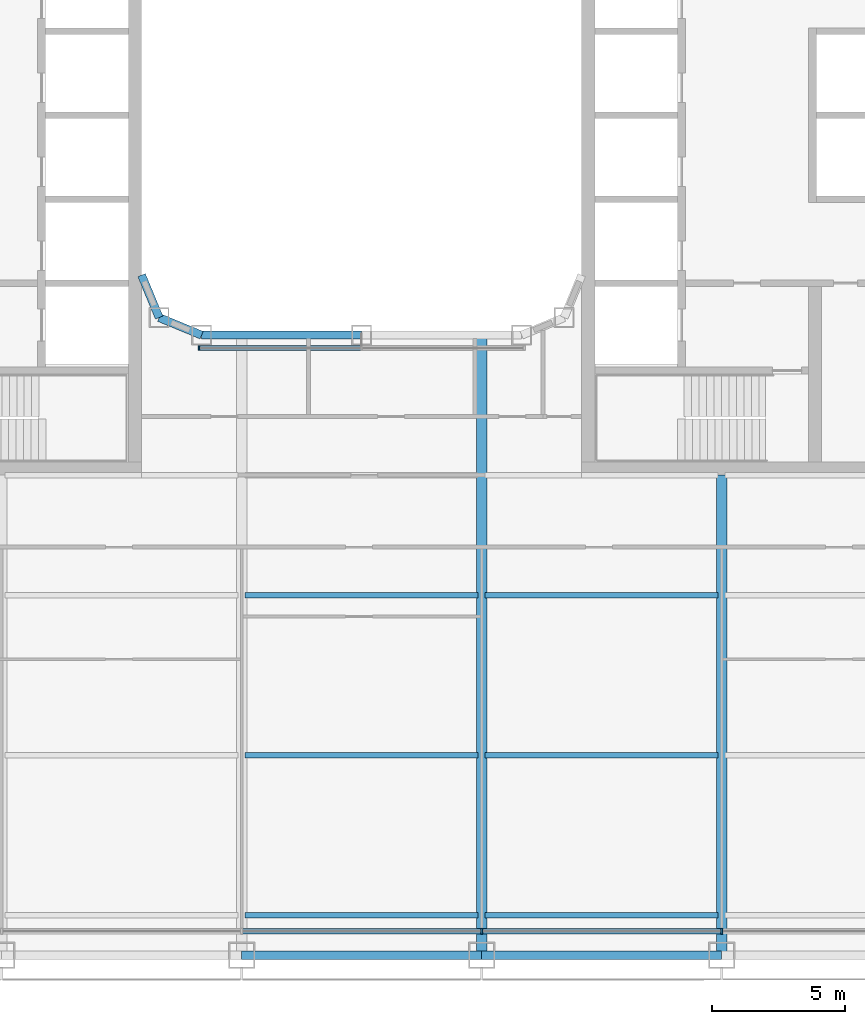
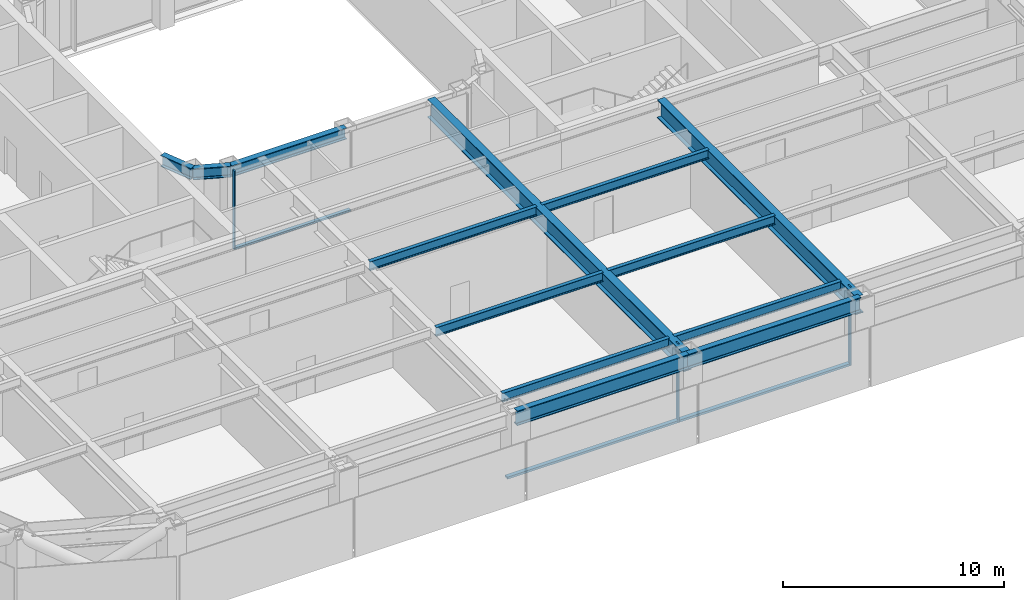
# One storey, part 3 of 24: 13 beams, 6 members, 2 elements without a shape of their own.
"""IFC4 building model written with IfcOpenShell, lengths in metres."""

from ifc_helpers import new_model, si_unit, direction, frame, origin, origin_2d, place, context, subcontext, project, spatial, rectangle, i_section, extrude, material, layer, layer_set, material_profile, profile_set, type_object, element, aggregate, save


model = new_model("IFC4")

# Units and contexts
model_context = context("Model", 3, precision=1e-05, world=origin(), true_north=direction((0.0, 1.0)))
body_context = subcontext(model_context, "Body", "Model", "MODEL_VIEW")
ifc_project = project(units=[si_unit("LENGTHUNIT", "METRE"), si_unit("AREAUNIT", "SQUARE_METRE"), si_unit("VOLUMEUNIT", "CUBIC_METRE"), si_unit("PLANEANGLEUNIT", "RADIAN"), si_unit("MASSUNIT", "GRAM", prefix="KILO")], contexts=[model_context])

# Site, building, storey
site_placement = place(None, origin())
site = spatial("IfcSite", under=ifc_project, at=site_placement, CompositionType="ELEMENT")
building_placement = place(site_placement, origin())
building = spatial("IfcBuilding", under=site, at=building_placement, Name="Siwar Civic Tower", CompositionType="ELEMENT")
storey_placement = place(building_placement, frame((0.0, 0.0, 76.199951171875)))
storey = spatial("IfcBuildingStorey", under=building, at=storey_placement, Name="L16", CompositionType="ELEMENT", Elevation=76.199951171875)

# Curtain wall, members
ifc_material_1 = material(Name="Aluminium and glass", Category="aluminium")
ifc_layer_1 = layer(ifc_material_1, 0.219970703125)
ifc_layer_set_1 = layer_set([ifc_layer_1], Name="Aluminium and glass")
curtain_wall_type_1 = type_object("IfcCurtainWallType", Name="ENV-CW-A", PredefinedType="NOTDEFINED", material=ifc_layer_set_1)
curtain_wall_1_placement = place(storey_placement, origin())
curtain_wall_1 = element("IfcCurtainWall", 1, at=curtain_wall_1_placement, inside=storey, type_object=curtain_wall_type_1, Name="Curtain wall A S", PredefinedType="NOTDEFINED")
ifc_material_2 = material(Name="Aluminium 6063-T6", Category="aluminium")
ifc_material_profile_1 = material_profile(ifc_material_2, rectangle(XDim=0.219970703125, YDim=0.070068359375, at=origin_2d()), Name="AL 220x70")
ifc_profile_set_1 = profile_set([ifc_material_profile_1], Name="Aluminium 6063-T6")
member_type_1 = type_object("IfcMemberType", Name="ENV-MULLION-A", PredefinedType="MULLION", material=ifc_profile_set_1)
member_1_placement = place(storey_placement, frame((4.5, -30.60009765625, 0.0), z_axis=(0.0, 0.0, 1.0), x_axis=(0.0, 1.0, 0.0)))
member_1 = element("IfcMember", 2, at=member_1_placement, type_object=member_type_1, Name="Mullion A S 4", PredefinedType="MULLION", context=body_context, shape_type="SweptSolid", body=[
    extrude(rectangle(XDim=0.219970703125, YDim=0.070068359375, at=origin_2d()), origin(), (0.0, 0.0, 1.0), 4.35009765625),
])
member_2_placement = place(storey_placement, frame((13.5, -30.60009765625, 0.0), z_axis=(0.0, 0.0, 1.0), x_axis=(0.0, 1.0, 0.0)))
member_2 = element("IfcMember", 3, at=member_2_placement, type_object=member_type_1, Name="Mullion A S 5", PredefinedType="MULLION", context=body_context, shape_type="SweptSolid", body=[
    extrude(rectangle(XDim=0.219970703125, YDim=0.070068359375, at=origin_2d()), origin(), (0.0, 0.0, 1.0), 4.35009765625),
])

# Curtain wall, member
ifc_material_3 = material(Name="Aluminium and glass", Category="aluminium")
ifc_layer_2 = layer(ifc_material_3, 0.179931640625)
ifc_layer_set_2 = layer_set([ifc_layer_2], Name="Aluminium and glass")
curtain_wall_type_2 = type_object("IfcCurtainWallType", Name="ENV-CW-W", PredefinedType="NOTDEFINED", material=ifc_layer_set_2)
curtain_wall_2_placement = place(storey_placement, origin())
curtain_wall_2 = element("IfcCurtainWall", 4, at=curtain_wall_2_placement, inside=storey, type_object=curtain_wall_type_2, Name="Curtain wall W WS", PredefinedType="NOTDEFINED")
ifc_material_4 = material(Name="Aluminium 6063-T6", Category="aluminium")
ifc_material_profile_2 = material_profile(ifc_material_4, rectangle(XDim=0.179931640625, YDim=0.06005859375, at=origin_2d()), Name="AL 180x60")
ifc_profile_set_2 = profile_set([ifc_material_profile_2], Name="Aluminium 6063-T6")
member_type_2 = type_object("IfcMemberType", Name="ENV-MULLION-W", PredefinedType="MULLION", material=ifc_profile_set_2)
member_3_placement = place(storey_placement, frame((-6.096435546875, -8.735107421875, 0.0), z_axis=(0.0, 0.0, 1.0), x_axis=(0.0, 1.0, 0.0)))
member_3 = element("IfcMember", 5, at=member_3_placement, type_object=member_type_2, Name="Mullion W WS 1", PredefinedType="MULLION", context=body_context, shape_type="SweptSolid", body=[
    extrude(rectangle(XDim=0.179931640625, YDim=0.06005859375, at=origin_2d()), origin(), (0.0, 0.0, 1.0), 4.35009765625),
])

# Member
ifc_material_5 = material(Name="Aluminium 6063-T6", Category="aluminium")
ifc_material_profile_3 = material_profile(ifc_material_5, rectangle(XDim=0.219970703125, YDim=0.1201171875, at=origin_2d()), Name="AL 220x120")
ifc_profile_set_3 = profile_set([ifc_material_profile_3], Name="Aluminium 6063-T6")
member_type_3 = type_object("IfcMemberType", Name="ENV-TRANSOM-A", PredefinedType="USERDEFINED", material=ifc_profile_set_3)
member_4_placement = place(storey_placement, frame((-4.465087890625, -30.60009765625, 0.06005859375), z_axis=(1.0, 0.0, 0.0), x_axis=(0.0, 1.0, 0.0)))
member_4 = element("IfcMember", 6, at=member_4_placement, type_object=member_type_3, Name="Transom A S 3", ObjectType="TRANSOM", PredefinedType="USERDEFINED", context=body_context, shape_type="SweptSolid", body=[
    extrude(rectangle(XDim=0.219970703125, YDim=0.1201171875, at=origin_2d()), origin(), (0.0, 0.0, 1.0), 8.93017578125),
])

member_5_placement = place(storey_placement, frame((4.534912109375, -30.60009765625, 0.06005859375), z_axis=(1.0, 0.0, 0.0), x_axis=(0.0, 1.0, 0.0)))
member_5 = element("IfcMember", 7, at=member_5_placement, type_object=member_type_3, Name="Transom A S 4", ObjectType="TRANSOM", PredefinedType="USERDEFINED", context=body_context, shape_type="SweptSolid", body=[
    extrude(rectangle(XDim=0.219970703125, YDim=0.1201171875, at=origin_2d()), origin(), (0.0, 0.0, 1.0), 8.93017578125),
])

aggregate(curtain_wall_1, [member_1, member_2, member_4, member_5])

ifc_material_6 = material(Name="Aluminium 6063-T6", Category="aluminium")
ifc_material_profile_4 = material_profile(ifc_material_6, rectangle(XDim=0.179931640625, YDim=0.10009765625, at=origin_2d()), Name="AL 180x100")
ifc_profile_set_4 = profile_set([ifc_material_profile_4], Name="Aluminium 6063-T6")
member_type_4 = type_object("IfcMemberType", Name="ENV-TRANSOM-W", PredefinedType="USERDEFINED", material=ifc_profile_set_4)
member_6_placement = place(storey_placement, frame((-6.06640625, -8.735107421875, 0.050048828125), z_axis=(1.0, 0.0, 0.0), x_axis=(0.0, 1.0, 0.0)))
member_6 = element("IfcMember", 8, at=member_6_placement, type_object=member_type_4, Name="Transom W WS 1", ObjectType="TRANSOM", PredefinedType="USERDEFINED", context=body_context, shape_type="SweptSolid", body=[
    extrude(rectangle(XDim=0.179931640625, YDim=0.10009765625, at=origin_2d()), origin(), (0.0, 0.0, 1.0), 6.036376953125),
])

aggregate(curtain_wall_2, [member_3, member_6])

# Beams
ifc_material_7 = material(Name="Steel S355", Category="steel")
ifc_material_profile_5 = material_profile(ifc_material_7, i_section(OverallWidth=0.199951171875, OverallDepth=0.5, WebThickness=0.01025390625, FlangeThickness=0.01611328125, FilletRadius=0.02099609375, at=origin_2d()), Name="IPE500")
ifc_profile_set_5 = profile_set([ifc_material_profile_5], Name="Steel S355")
beam_type_1 = type_object("IfcBeamType", Name="STR-FB-IPE500", PredefinedType="JOIST", material=ifc_profile_set_5)
for number, where, z_axis, x_axis, name in (
    (9, (-4.3701171875, -30.0, 4.10009765625), (1.0, 0.0, 0.0), (0.0, 1.0, 0.0), "L16/bm/F004"),
    (10, (4.6298828125, -30.0, 4.10009765625), (1.0, 0.0, 0.0), (0.0, 1.0, 0.0), "L16/bm/F005"),
    (11, (-4.3701171875, -24.0, 4.10009765625), (1.0, 0.0, 0.0), (0.0, 1.0, 0.0), "L16/bm/F011"),
    (12, (4.6298828125, -24.0, 4.10009765625), (1.0, 0.0, 0.0), (0.0, 1.0, 0.0), "L16/bm/F012"),
    (13, (-4.3701171875, -18.0, 4.10009765625), (1.0, 0.0, 0.0), (0.0, 1.0, 0.0), "L16/bm/F018"),
    (14, (4.6298828125, -18.0, 4.10009765625), (1.0, 0.0, 0.0), (0.0, 1.0, 0.0), "L16/bm/F019"),
):
    element("IfcBeam", number, at=place(storey_placement, frame(where, z_axis=z_axis, x_axis=x_axis)), inside=storey, type_object=beam_type_1, Name=name, PredefinedType="JOIST", context=body_context, shape_type="SweptSolid", body=[
        extrude(i_section(OverallWidth=0.199951171875, OverallDepth=0.5, WebThickness=0.01025390625, FlangeThickness=0.01611328125, FilletRadius=0.02099609375, at=origin_2d()), origin(), (0.0, 0.0, 1.0), 8.740234375),
    ])
ifc_material_8 = material(Name="Steel S355", Category="steel")
ifc_material_profile_6 = material_profile(ifc_material_8, i_section(OverallWidth=0.39990234375, OverallDepth=1.0, WebThickness=0.01611328125, FlangeThickness=0.0400390625, at=origin_2d()), Name="PG1000x400x16x40")
ifc_profile_set_6 = profile_set([ifc_material_profile_6], Name="Steel S355")
beam_type_2 = type_object("IfcBeamType", Name="STR-PG-PG1000x400x16x40", PredefinedType="BEAM", material=ifc_profile_set_6)
beam_1_placement = place(storey_placement, frame((4.5, -31.5, 3.85009765625), z_axis=(0.0, 1.0, 0.0), x_axis=(-1.0, 0.0, 0.0)))
element("IfcBeam", 15, at=beam_1_placement, inside=storey, type_object=beam_type_2, Name="L16/bm/G07", PredefinedType="BEAM", context=body_context, shape_type="SweptSolid", body=[
    extrude(i_section(OverallWidth=0.39990234375, OverallDepth=1.0, WebThickness=0.01611328125, FlangeThickness=0.0400390625, at=origin_2d()), origin(), (0.0, 0.0, 1.0), 23.25),
])
beam_2_placement = place(storey_placement, frame((13.5, -31.5, 3.85009765625), z_axis=(0.0, 1.0, 0.0), x_axis=(-1.0, 0.0, 0.0)))
element("IfcBeam", 16, at=beam_2_placement, inside=storey, type_object=beam_type_2, Name="L16/bm/G09", PredefinedType="BEAM", context=body_context, shape_type="SweptSolid", body=[
    extrude(i_section(OverallWidth=0.39990234375, OverallDepth=1.0, WebThickness=0.01611328125, FlangeThickness=0.0400390625, at=origin_2d()), origin(), (0.0, 0.0, 1.0), 18.0),
])
ifc_material_9 = material(Name="Steel S355", Category="steel")
ifc_material_profile_7 = material_profile(ifc_material_9, i_section(OverallWidth=0.304931640625, OverallDepth=0.6201171875, WebThickness=0.02099609375, FlangeThickness=0.0400390625, FilletRadius=0.027099609375, at=origin_2d()), Name="HEM600")
ifc_profile_set_7 = profile_set([ifc_material_profile_7], Name="Steel S355")
beam_type_3 = type_object("IfcBeamType", Name="STR-RB-HEM600", PredefinedType="BEAM", material=ifc_profile_set_7)
beam_3_placement = place(storey_placement, frame((-7.591064453125, -7.591064453125, 4.0400390625), z_axis=(0.923901072997, -0.382631424892, 0.0), x_axis=(0.382631424892, 0.923901072997, 0.0)))
element("IfcBeam", 17, at=beam_3_placement, inside=storey, type_object=beam_type_3, Name="L16/bm/RS0", PredefinedType="BEAM", context=body_context, shape_type="SweptSolid", body=[
    extrude(i_section(OverallWidth=0.304931640625, OverallDepth=0.6201171875, WebThickness=0.02099609375, FlangeThickness=0.0400390625, FilletRadius=0.027099609375, at=origin_2d()), origin(), (0.0, 0.0, 1.0), 1.72216796875),
])
beam_4_placement = place(storey_placement, frame((-6.0, -8.25, 4.0400390625), z_axis=(1.0, 0.0, 0.0), x_axis=(0.0, 1.0, 0.0)))
element("IfcBeam", 18, at=beam_4_placement, inside=storey, type_object=beam_type_3, Name="L16/bm/RS1", PredefinedType="BEAM", context=body_context, shape_type="SweptSolid", body=[
    extrude(i_section(OverallWidth=0.304931640625, OverallDepth=0.6201171875, WebThickness=0.02099609375, FlangeThickness=0.0400390625, FilletRadius=0.027099609375, at=origin_2d()), origin(), (0.0, 0.0, 1.0), 6.0),
])
beam_5_placement = place(storey_placement, frame((-7.591064453125, -7.591064453125, 4.0400390625), z_axis=(-0.382631424892, 0.923901072997, 0.0), x_axis=(-0.923901072997, -0.382631424892, 0.0)))
element("IfcBeam", 19, at=beam_5_placement, inside=storey, type_object=beam_type_3, Name="L16/bm/RSEW", PredefinedType="BEAM", context=body_context, shape_type="SweptSolid", body=[
    extrude(i_section(OverallWidth=0.304931640625, OverallDepth=0.6201171875, WebThickness=0.02099609375, FlangeThickness=0.0400390625, FilletRadius=0.027099609375, at=origin_2d()), origin(), (0.0, 0.0, 1.0), 1.72216796875),
])
ifc_material_10 = material(Name="Steel S355", Category="steel")
ifc_material_profile_8 = material_profile(ifc_material_10, i_section(OverallWidth=0.302978515625, OverallDepth=0.81396484375, WebThickness=0.02099609375, FlangeThickness=0.0400390625, FilletRadius=0.030029296875, at=origin_2d()), Name="HEM800")
ifc_profile_set_8 = profile_set([ifc_material_profile_8], Name="Steel S355")
beam_type_4 = type_object("IfcBeamType", Name="STR-SB-HEM800", PredefinedType="BEAM", material=ifc_profile_set_8)
for number, where, z_axis, x_axis, name in (
    (20, (-4.5, -31.5, 3.943115234375), (1.0, 0.0, 0.0), (0.0, 1.0, 0.0), "L16/bm/SS-2"),
    (21, (4.5, -31.5, 3.943115234375), (1.0, 0.0, 0.0), (0.0, 1.0, 0.0), "L16/bm/SS-3"),
):
    element("IfcBeam", number, at=place(storey_placement, frame(where, z_axis=z_axis, x_axis=x_axis)), inside=storey, type_object=beam_type_4, Name=name, PredefinedType="BEAM", context=body_context, shape_type="SweptSolid", body=[
        extrude(i_section(OverallWidth=0.302978515625, OverallDepth=0.81396484375, WebThickness=0.02099609375, FlangeThickness=0.0400390625, FilletRadius=0.030029296875, at=origin_2d()), origin(), (0.0, 0.0, 1.0), 9.0),
    ])

save(model, "model.ifc")
